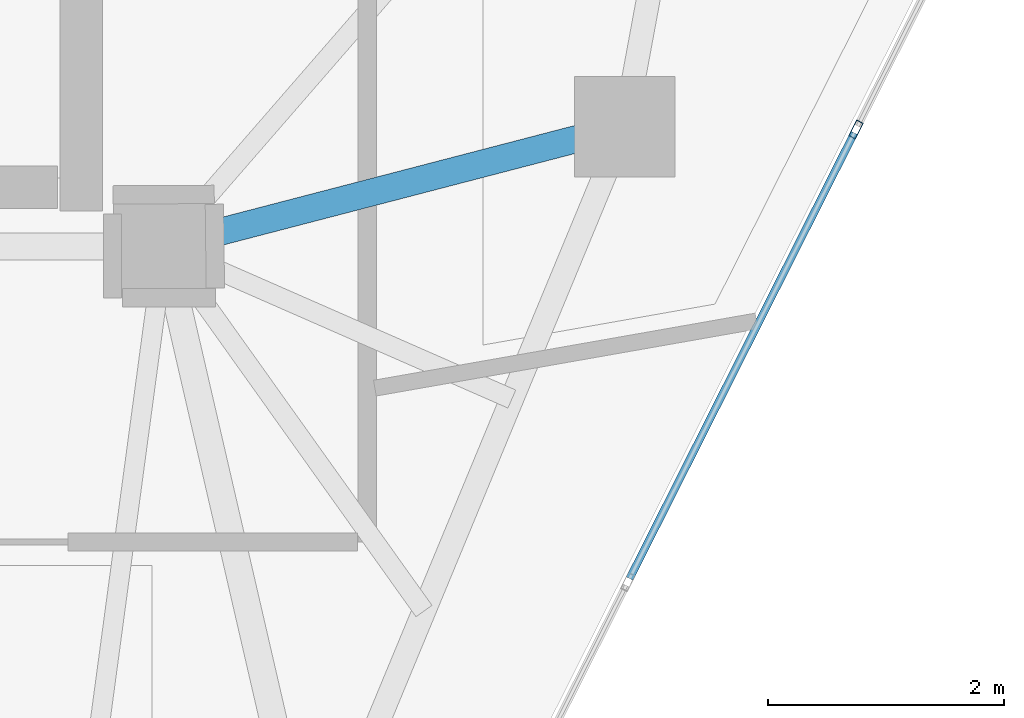
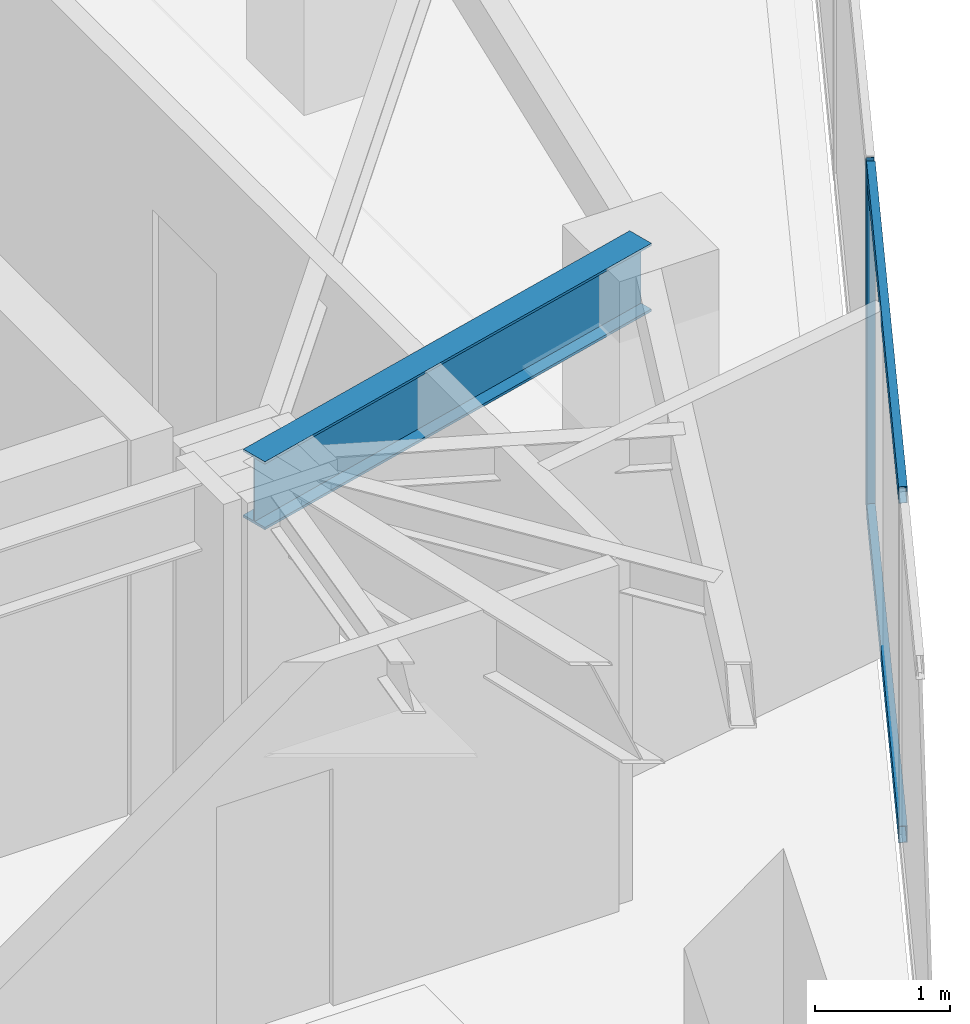
# One storey, part 7 of 20: 3 members, 1 beam, 1 element without a shape of its own.
"""IFC4 building model written with IfcOpenShell, lengths in metres."""

import ifcopenshell
import ifcopenshell.guid

model = None  # the IFC model being written
_history = None  # IfcOwnerHistory: only IFC2X3 demands one
_inside = {}  # id of a spatial element -> (the spatial element, [elements in it])
_under = {}  # id of a project, library or spatial element -> (it, [spatial elements below it])
_declared = {}  # id of a project -> (the project, [libraries it declares])
_typed = {}  # id of a type object -> (the type object, [elements of that type])
_made_of = {}  # id of a material, layer set ... -> (it, [elements and type objects made of it])


def new_model(schema):
    """Start an empty IFC model of exactly this schema.

    Asked for "IFC4X3", IfcOpenShell would pick the latest addendum, in which some entities
    have other attributes; the version numbers below select the first issue.
    IFC2X3 requires an IfcOwnerHistory on every rooted entity: one is made here for all.
    """
    global model, _history
    if schema == "IFC4X3":
        model = ifcopenshell.file(schema_version=(4, 3, 0, 0))
    else:
        model = ifcopenshell.file(schema=schema)
    _inside.clear()
    _under.clear()
    _declared.clear()
    _typed.clear()
    _made_of.clear()
    _history = None
    if model.schema == "IFC2X3":
        org = make("IfcOrganization", Name="unknown")
        user = make(
            "IfcPersonAndOrganization",
            ThePerson=make("IfcPerson", FamilyName="unknown"),
            TheOrganization=org,
        )
        app = make(
            "IfcApplication",
            ApplicationDeveloper=org,
            Version="unknown",
            ApplicationFullName="unknown",
            ApplicationIdentifier="unknown",
        )
        _history = make(
            "IfcOwnerHistory",
            OwningUser=user,
            OwningApplication=app,
            ChangeAction="ADDED",
            CreationDate=0,
        )
    return model


def make(cls, **values):
    """One entity of the class cls with the attributes given. An attribute that is None is left unset."""
    return model.create_entity(
        cls, **{name: value for name, value in values.items() if value is not None}
    )


def rooted(cls, **values):
    """An entity with a GlobalId (a new one), such as an element, a storey or a relation."""
    return make(cls, GlobalId=ifcopenshell.guid.new(), OwnerHistory=_history, **values)


def si_unit(unit_type, name, prefix=None):
    """IfcSIUnit, for example si_unit("LENGTHUNIT", "METRE", prefix="MILLI")."""
    return make("IfcSIUnit", UnitType=unit_type, Prefix=prefix, Name=name)


def assignment(units):
    """IfcUnitAssignment: the units of a project."""
    return None if units is None else make("IfcUnitAssignment", Units=units)


def point(xyz):
    """IfcCartesianPoint."""
    return None if xyz is None else make("IfcCartesianPoint", Coordinates=xyz)


def direction(xyz):
    """IfcDirection."""
    return None if xyz is None else make("IfcDirection", DirectionRatios=xyz)


def frame(location, z_axis=None, x_axis=None):
    """IfcAxis2Placement3D, a coordinate frame: its origin and axes. An axis left out is left unset."""
    return make(
        "IfcAxis2Placement3D",
        Location=point(location),
        Axis=direction(z_axis),
        RefDirection=direction(x_axis),
    )


def frame_2d(location, x_axis=None):
    """IfcAxis2Placement2D, a coordinate frame in the plane: its origin and x axis."""
    return make(
        "IfcAxis2Placement2D", Location=point(location), RefDirection=direction(x_axis)
    )


def origin():
    """The frame at (0, 0, 0) with its axes left unset."""
    return frame((0.0, 0.0, 0.0))


def origin_2d():
    """The frame at (0, 0) in the plane with its x axis left unset."""
    return frame_2d((0.0, 0.0))


def place(relative_to, where):
    """IfcLocalPlacement: puts the frame where relative to a parent placement (None: the world)."""
    return make(
        "IfcLocalPlacement", PlacementRelTo=relative_to, RelativePlacement=where
    )


def context(
    kind, dimensions, precision=None, world=None, true_north=None, identifier=None
):
    """IfcGeometricRepresentationContext, for example the 3D "Model" context."""
    return make(
        "IfcGeometricRepresentationContext",
        ContextIdentifier=identifier,
        ContextType=kind,
        CoordinateSpaceDimension=dimensions,
        Precision=precision,
        WorldCoordinateSystem=world,
        TrueNorth=true_north,
    )


def subcontext(parent, identifier, kind, view, scale=None):
    """IfcGeometricRepresentationSubContext, for example "Body" below "Model"."""
    return make(
        "IfcGeometricRepresentationSubContext",
        ContextIdentifier=identifier,
        ContextType=kind,
        ParentContext=parent,
        TargetScale=scale,
        TargetView=view,
    )


def project(units=None, contexts=None):
    """IfcProject with its units and contexts."""
    return rooted(
        "IfcProject",
        Name="project",
        RepresentationContexts=contexts,
        UnitsInContext=assignment(units),
    )


def spatial(cls, under=None, at=None, **own):
    """A site, building, storey or space (cls), placed at a placement, below another one or the project."""
    s = rooted(cls, ObjectPlacement=at, **own)
    if under is not None:
        _under.setdefault(under.id(), (under, []))[1].append(s)
    return s


def profile(cls, at=None, kind="AREA", **sizes):
    """A parametric profile (cls). Its sizes go by their IFC names, for example OverallWidth=200.0."""
    return make(cls, ProfileType=kind, Position=at, **sizes)


def hollow_rectangle(**sizes):
    """IfcRectangleHollowProfileDef."""
    return profile("IfcRectangleHollowProfileDef", **sizes)


def i_section(**sizes):
    """IfcIShapeProfileDef."""
    return profile("IfcIShapeProfileDef", **sizes)


def extrude(swept, where, along, depth):
    """IfcExtrudedAreaSolid: the profile swept, set in the frame where, extruded along a direction by depth."""
    return make(
        "IfcExtrudedAreaSolid",
        SweptArea=swept,
        Position=where,
        ExtrudedDirection=direction(along),
        Depth=depth,
    )


def shape(context_of_items, identifier, shape_type, items):
    """IfcShapeRepresentation: the items that make up one representation, for example the "Body"."""
    return make(
        "IfcShapeRepresentation",
        ContextOfItems=context_of_items,
        RepresentationIdentifier=identifier,
        RepresentationType=shape_type,
        Items=items,
    )


def source(mapping_origin, context_of_items, identifier, shape_type, items):
    """IfcRepresentationMap: a shape defined once, which mapped items show again and again."""
    return make(
        "IfcRepresentationMap",
        MappingOrigin=mapping_origin,
        MappedRepresentation=shape(context_of_items, identifier, shape_type, items),
    )


def transform(
    local_origin,
    x_axis=None,
    y_axis=None,
    z_axis=None,
    scale=None,
    scale2=None,
    scale3=None,
    uniform=True,
):
    """IfcCartesianTransformationOperator3D, or its non-uniform kind. x_axis, y_axis, z_axis: its Axis1, 2, 3."""
    if uniform:
        return make(
            "IfcCartesianTransformationOperator3D",
            Axis1=direction(x_axis),
            Axis2=direction(y_axis),
            LocalOrigin=point(local_origin),
            Scale=scale,
            Axis3=direction(z_axis),
        )
    return make(
        "IfcCartesianTransformationOperator3DnonUniform",
        Axis1=direction(x_axis),
        Axis2=direction(y_axis),
        LocalOrigin=point(local_origin),
        Scale=scale,
        Axis3=direction(z_axis),
        Scale2=scale2,
        Scale3=scale3,
    )


def mapped(mapping_source, mapping_target):
    """IfcMappedItem: shows the shape of a source again, moved by a transform."""
    return make(
        "IfcMappedItem", MappingSource=mapping_source, MappingTarget=mapping_target
    )


def material(Name=None, Category=None):
    """IfcMaterial."""
    return make("IfcMaterial", Name=Name, Category=Category)


def layer(
    of_material, thickness, ventilated=None, Name=None, Category=None, Priority=None
):
    """IfcMaterialLayer: one layer of a wall or slab, of a material (None: an air gap)."""
    return make(
        "IfcMaterialLayer",
        Material=of_material,
        LayerThickness=thickness,
        IsVentilated=ventilated,
        Name=Name,
        Category=Category,
        Priority=Priority,
    )


def layer_set(layers, Name=None):
    """IfcMaterialLayerSet."""
    return make("IfcMaterialLayerSet", MaterialLayers=layers, LayerSetName=Name)


def material_profile(
    of_material, cross_section, Name=None, Category=None, Priority=None
):
    """IfcMaterialProfile: a cross section and its material."""
    return make(
        "IfcMaterialProfile",
        Name=Name,
        Material=of_material,
        Profile=cross_section,
        Priority=Priority,
        Category=Category,
    )


def profile_set(profiles, Name=None, composite=None):
    """IfcMaterialProfileSet."""
    return make(
        "IfcMaterialProfileSet",
        Name=Name,
        MaterialProfiles=profiles,
        CompositeProfile=composite,
    )


def made_of(thing, what):
    """Note that an element or type object is made of a material, layer set ...; save() writes the relation."""
    if what is not None:
        _made_of.setdefault(what.id(), (what, []))[1].append(thing)
    return thing


def type_object(cls, material=None, **own):
    """A type object (cls), such as IfcWallType, which elements share."""
    return made_of(rooted(cls, **own), material)


def type_shapes(of_type, sources):
    """Give a type object the sources (RepresentationMaps) that its elements show as mapped items."""
    of_type.RepresentationMaps = sources


def element(
    cls,
    number,
    at=None,
    inside=None,
    cuts=None,
    type_object=None,
    material=None,
    context=None,
    identifier="Body",
    shape_type=None,
    held_by="IfcProductDefinitionShape",
    body=None,
    shapes=None,
    **own,
):
    """One element of the class cls, such as IfcWall. Its Tag is "e" and its number.

    at: its placement. inside: the storey or other place that contains it. cuts: it is an
    opening in that element (IfcRelVoidsElement). A single representation is given by context,
    identifier, shape_type and body (its items); several are given by shapes. held_by: the class
    of the entity that holds the representations. save() writes the other relations.
    """
    e = rooted(cls, Tag="e%d" % number, ObjectPlacement=at, **own)
    if body is not None:
        shapes = [shape(context, identifier, shape_type, body)]
    if shapes is not None:
        e.Representation = make(held_by, Representations=shapes)
    if inside is not None:
        _inside.setdefault(inside.id(), (inside, []))[1].append(e)
    if cuts is not None:
        rooted(
            "IfcRelVoidsElement", RelatingBuildingElement=cuts, RelatedOpeningElement=e
        )
    if type_object is not None:
        _typed.setdefault(type_object.id(), (type_object, []))[1].append(e)
    return made_of(e, material)


def aggregate(whole, parts):
    """IfcRelAggregates: a whole, such as a stair, and the parts it consists of."""
    return rooted("IfcRelAggregates", RelatingObject=whole, RelatedObjects=parts)


def save(model, path):
    """Write the relations noted so far, then the file.

    IfcRelAggregates (storeys below a building ...), IfcRelContainedInSpatialStructure (elements
    in a storey), IfcRelDefinesByType, IfcRelAssociatesMaterial and IfcRelDeclares: one each for
    every whole, place, type object, material and project.
    """
    for whole, parts in _under.values():
        aggregate(whole, parts)
    for where, things in _inside.values():
        rooted(
            "IfcRelContainedInSpatialStructure",
            RelatedElements=things,
            RelatingStructure=where,
        )
    for kind, things in _typed.values():
        rooted("IfcRelDefinesByType", RelatedObjects=things, RelatingType=kind)
    for what, things in _made_of.values():
        rooted("IfcRelAssociatesMaterial", RelatedObjects=things, RelatingMaterial=what)
    for by, libraries in _declared.values():
        rooted("IfcRelDeclares", RelatingContext=by, RelatedDefinitions=libraries)
    model.write(path)


model = new_model("IFC4")

# Units and contexts
model_context = context("Model", 3, precision=1e-05, world=origin(), true_north=direction((0.0, 1.0)))
body_context = subcontext(model_context, "Body", "Model", "MODEL_VIEW")
ifc_project = project(units=[si_unit("LENGTHUNIT", "METRE"), si_unit("AREAUNIT", "SQUARE_METRE"), si_unit("VOLUMEUNIT", "CUBIC_METRE"), si_unit("PLANEANGLEUNIT", "RADIAN"), si_unit("MASSUNIT", "GRAM", prefix="KILO")], contexts=[model_context])

# Site, building, storey
site_placement = place(None, origin())
site = spatial("IfcSite", under=ifc_project, at=site_placement, CompositionType="ELEMENT")
building_placement = place(site_placement, origin())
building = spatial("IfcBuilding", under=site, at=building_placement, Name="Talar Marvaseh", CompositionType="ELEMENT")
storey_placement = place(building_placement, frame((0.0, 0.0, 285.0)))
storey = spatial("IfcBuildingStorey", under=building, at=storey_placement, Name="L76", CompositionType="ELEMENT", Elevation=285.0)

# Beam
ifc_material_1 = material(Name="Steel S355", Category="steel")
ifc_material_profile_1 = material_profile(ifc_material_1, i_section(OverallWidth=0.22998046875, OverallDepth=0.616943359375, WebThickness=0.01318359375, FlangeThickness=0.022216796875, at=origin_2d()), Name="W610x140")
ifc_profile_set_1 = profile_set([ifc_material_profile_1], Name="Steel S355")
beam_type = type_object("IfcBeamType", Name="Zone 4 Radial Floor Girder W610x140", PredefinedType="BEAM", material=ifc_profile_set_1)
beam_placement = place(storey_placement, frame((37.197021484375, 26.513916015625, 2.83154296875), z_axis=(-0.967779967746, -0.251797406719, 0.0), x_axis=(0.251797406719, -0.967779967746, 0.0)))
element("IfcBeam", 1, at=beam_placement, inside=storey, type_object=beam_type, Name="L76 Zone 4 Radial Floor Girder W610x140", PredefinedType="BEAM", context=body_context, shape_type="SweptSolid", body=[
    extrude(i_section(OverallWidth=0.22998046875, OverallDepth=0.616943359375, WebThickness=0.01318359375, FlangeThickness=0.022216796875, at=origin_2d()), origin(), (0.0, 0.0, 1.0), 4.026611328125),
])

# Curtain wall, members
ifc_material_2 = material(Name="Architectural Aluminium", Category="aluminium")
ifc_layer = layer(ifc_material_2, 0.179931640625)
ifc_layer_set = layer_set([ifc_layer], Name="Architectural Aluminium")
curtain_wall_type = type_object("IfcCurtainWallType", Name="Unitised High-Wind Sky Curtain Wall Z4", PredefinedType="NOTDEFINED", material=ifc_layer_set)
curtain_wall_placement = place(storey_placement, origin())
curtain_wall = element("IfcCurtainWall", 2, at=curtain_wall_placement, inside=storey, type_object=curtain_wall_type, Name="L76 Unitised High-Wind Sky Curtain Wall Z4", PredefinedType="NOTDEFINED")
ifc_material_profile_2 = material_profile(ifc_material_2, hollow_rectangle(XDim=0.06494140625, YDim=0.14990234375, WallThickness=0.00390625, at=origin_2d()), Name="RHS150x65x4")
ifc_profile_set_2 = profile_set([ifc_material_profile_2], Name="Architectural Aluminium")
member_type_1 = type_object("IfcMemberType", Name="Unitised Curtain Wall Slim Mullion RHS150x65x4", PredefinedType="MULLION", material=ifc_profile_set_2)
shared_shape_1 = source(origin(), body_context, "Body", "SweptSolid", [
    extrude(hollow_rectangle(XDim=0.06494140625, YDim=0.14990234375, WallThickness=0.00390625, at=origin_2d()), origin(), (0.0, 0.0, 1.0), 3.139892578125),
])
type_shapes(member_type_1, [shared_shape_1])
member_1_placement = place(storey_placement, frame((39.153076171875, 26.489013671875, 0.0), z_axis=(0.0, 0.0, 1.0), x_axis=(0.89290909223, -0.450236996494, 0.0)))
member_1 = element("IfcMember", 3, at=member_1_placement, type_object=member_type_1, Name="CW-Z4 mullion 3", PredefinedType="MULLION", context=body_context, shape_type="MappedRepresentation", body=[
    mapped(shared_shape_1, transform((0.0, 0.0, 0.0), x_axis=(1.0, 0.0, 0.0), y_axis=(0.0, 1.0, 0.0), z_axis=(0.0, 0.0, 1.0), scale=1.0)),
])
ifc_material_profile_3 = material_profile(ifc_material_2, hollow_rectangle(XDim=0.06494140625, YDim=0.14990234375, WallThickness=0.00390625, at=origin_2d()), Name="RHS150x65x4")
ifc_profile_set_3 = profile_set([ifc_material_profile_3], Name="Architectural Aluminium")
member_type_2 = type_object("IfcMemberType", Name="Unitised Curtain Wall Slim Transom RHS150x65x4", PredefinedType="USERDEFINED", material=ifc_profile_set_3)
shared_shape_2 = source(origin(), body_context, "Body", "SweptSolid", [
    extrude(hollow_rectangle(XDim=0.06494140625, YDim=0.14990234375, WallThickness=0.00390625, at=origin_2d()), origin(), (0.0, 0.0, 1.0), 4.220947265625),
])
type_shapes(member_type_2, [shared_shape_2])
member_2_placement = place(storey_placement, frame((39.138427734375, 26.4599609375, 0.032470703125), z_axis=(-0.450218694564, -0.892918320489, 0.0), x_axis=(0.892918320489, -0.450218694564, 0.0)))
member_2 = element("IfcMember", 4, at=member_2_placement, type_object=member_type_2, Name="CW-Z4 transom 3.1", ObjectType="TRANSOM", PredefinedType="USERDEFINED", context=body_context, shape_type="MappedRepresentation", body=[
    mapped(shared_shape_2, transform((0.0, 0.0, 0.0), x_axis=(1.0, 0.0, 0.0), y_axis=(0.0, 1.0, 0.0), z_axis=(0.0, 0.0, 1.0), scale=1.0)),
])
member_3_placement = place(storey_placement, frame((39.138427734375, 26.4599609375, 3.107421875), z_axis=(-0.450218694564, -0.892918320489, 0.0), x_axis=(0.892918320489, -0.450218694564, 0.0)))
member_3 = element("IfcMember", 5, at=member_3_placement, type_object=member_type_2, Name="CW-Z4 transom 3.2", ObjectType="TRANSOM", PredefinedType="USERDEFINED", context=body_context, shape_type="MappedRepresentation", body=[
    mapped(shared_shape_2, transform((0.0, 0.0, 0.0), x_axis=(1.0, 0.0, 0.0), y_axis=(0.0, 1.0, 0.0), z_axis=(0.0, 0.0, 1.0), scale=1.0)),
])
aggregate(curtain_wall, [member_1, member_2, member_3])

save(model, "model.ifc")
